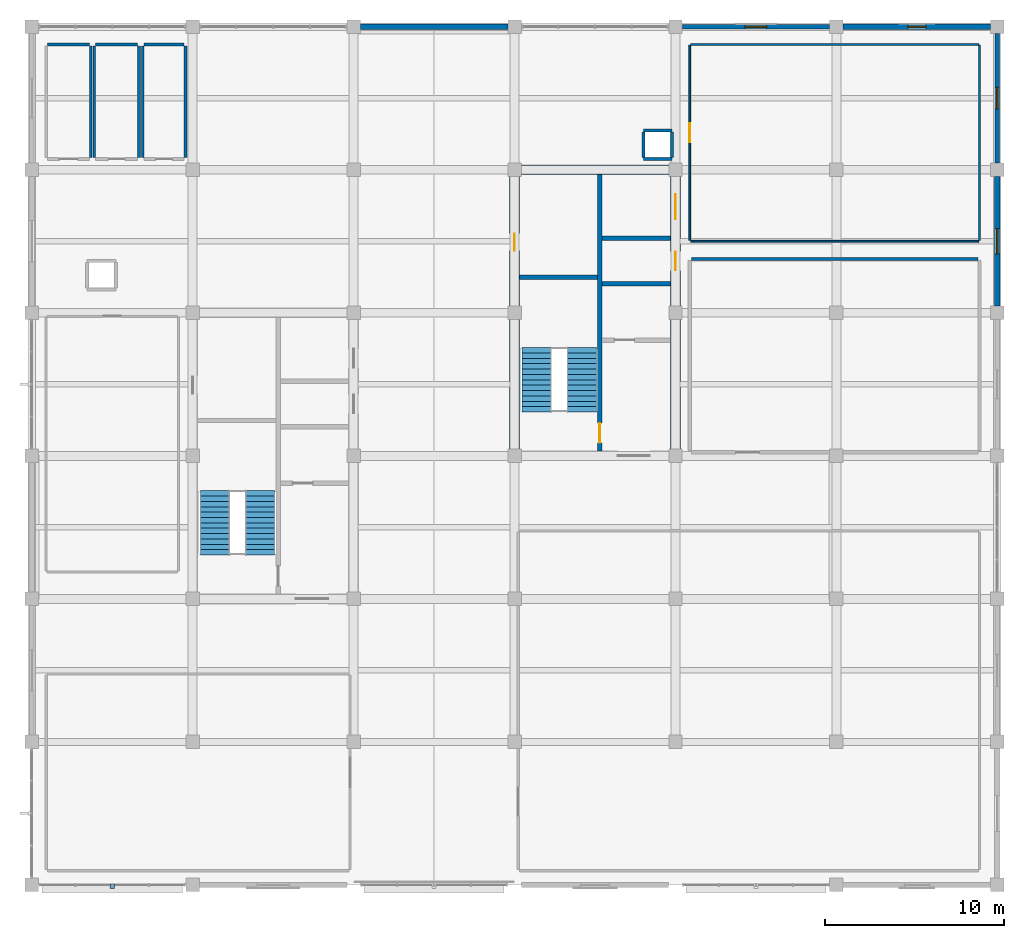
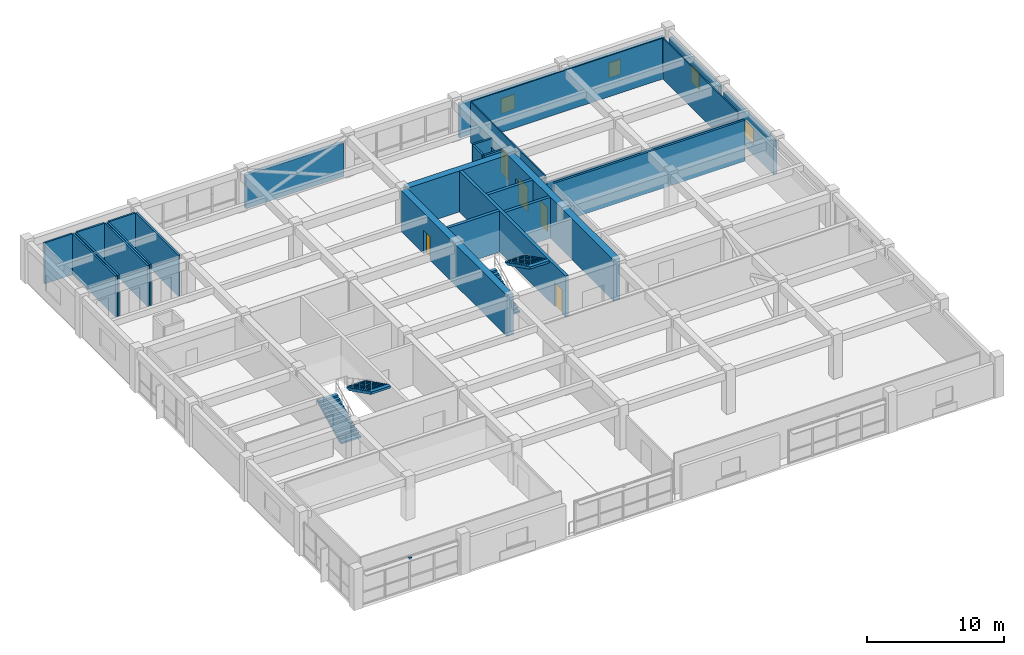
# One storey, part 13 of 15: 29 walls, 5 doors, 4 stair flights, 4 windows, 1 discrete accessory, 9 openings, 2 elements without a shape of their own.
"""IFC4 building model written with IfcOpenShell, lengths in metres."""

from ifc_helpers import new_model, si_unit, direction, frame, frame_2d, origin, origin_2d, place, context, subcontext, project, spatial, polyline, rectangle, outline, extrude, material, layer, layer_set, type_object, element, fill, aggregate, save


model = new_model("IFC4")

# Units and contexts
model_context = context("Model", 3, precision=1e-05, world=origin(), true_north=direction((0.0, 1.0)))
body_context = subcontext(model_context, "Body", "Model", "MODEL_VIEW")
ifc_project = project(units=[si_unit("LENGTHUNIT", "METRE"), si_unit("AREAUNIT", "SQUARE_METRE"), si_unit("VOLUMEUNIT", "CUBIC_METRE"), si_unit("PLANEANGLEUNIT", "RADIAN"), si_unit("MASSUNIT", "GRAM", prefix="KILO")], contexts=[model_context])

# Site, building, storey
site_placement = place(None, origin())
site = spatial("IfcSite", under=ifc_project, at=site_placement, CompositionType="ELEMENT")
building_placement = place(site_placement, origin())
building = spatial("IfcBuilding", under=site, at=building_placement, Name="Zaverband Oceanarium and Marine Research Institute", CompositionType="ELEMENT")
storey_placement = place(building_placement, frame((0.0, 0.0, 53.10009765625)))
storey = spatial("IfcBuildingStorey", under=building, at=storey_placement, Name="L13", CompositionType="ELEMENT", Elevation=53.10009765625)

# Wall
ifc_material_1 = material(Name="Concrete C50/60", Category="concrete")
ifc_layer_1 = layer(ifc_material_1, 0.550048828125, Name="Concrete C50/60")
ifc_layer_set_1 = layer_set([ifc_layer_1], Name="Concrete C50/60")
wall_type_1 = type_object("IfcWallType", Name="CW-01", PredefinedType="SHEAR", material=ifc_layer_set_1)
wall_1_placement = place(storey_placement, frame((36.27490234375, 104.0, 0.0), z_axis=(0.0, 0.0, 1.0), x_axis=(1.0, 0.0, 0.0)))
element("IfcWall", 1, at=wall_1_placement, inside=storey, type_object=wall_type_1, Name="Structural shear wall CW-01", PredefinedType="SHEAR", context=body_context, shape_type="SweptSolid", body=[
    extrude(rectangle(XDim=8.4501953125, YDim=0.550048828125, at=frame_2d((4.22509765625, 0.0))), origin(), (0.0, 0.0, 1.0), 3.64990234375),
])

# Wall, opening, door
wall_2_placement = place(storey_placement, frame((36.0, 88.27490234375, 0.0), z_axis=(0.0, 0.0, 1.0), x_axis=(0.0, 1.0, 0.0)))
wall_2 = element("IfcWall", 2, at=wall_2_placement, inside=storey, type_object=wall_type_1, Name="Structural shear wall CW-01", PredefinedType="SHEAR", context=body_context, shape_type="SweptSolid", body=[
    extrude(rectangle(XDim=15.4501953125, YDim=0.550048828125, at=frame_2d((7.72509765625, 0.0))), origin(), (0.0, 0.0, 1.0), 3.64990234375),
])
opening_1_placement = place(wall_2_placement, frame((11.199951171875, 0.0, 0.0)))
opening_1 = element("IfcOpeningElement", 3, at=opening_1_placement, cuts=wall_2, Name="Opening FD-03", PredefinedType="OPENING", context=body_context, shape_type="SweptSolid", body=[
    extrude(rectangle(XDim=0.949951171875, YDim=2.10009765625, at=frame_2d((0.47509765625, 1.050048828125))), frame((0.0, 0.287109375, 0.0), z_axis=(0.0, -1.0, 0.0), x_axis=(1.0, 0.0, 0.0)), (0.0, 0.0, 1.0), 0.573974609375),
])
ifc_material_2 = material(Name="Steel S355", Category="steel")
door_type_1 = type_object("IfcDoorType", Name="FD-03", OperationType="NOTDEFINED", PredefinedType="DOOR", material=ifc_material_2)
door_1_placement = place(opening_1_placement, origin())
door_1 = element("IfcDoor", 4, at=door_1_placement, inside=storey, type_object=door_type_1, Name="Service riser access fire door FD-03", OperationType="SINGLE_SWING_RIGHT", OverallHeight=2.10009765625, OverallWidth=0.949951171875, PredefinedType="DOOR", context=body_context, shape_type="SweptSolid", body=[
    extrude(rectangle(XDim=0.949951171875, YDim=2.10009765625, at=frame_2d((0.47509765625, 1.050048828125))), frame((0.0, 0.02490234375, 0.0), z_axis=(0.0, -1.0, 0.0), x_axis=(1.0, 0.0, 0.0)), (0.0, 0.0, 1.0), 0.050048828125),
])
fill(opening_1, door_1)

# Wall, openings, doors
wall_3_placement = place(storey_placement, frame((45.0, 88.27490234375, 0.0), z_axis=(0.0, 0.0, 1.0), x_axis=(0.0, 1.0, 0.0)))
wall_3 = element("IfcWall", 5, at=wall_3_placement, inside=storey, type_object=wall_type_1, Name="Structural shear wall CW-01", PredefinedType="SHEAR", context=body_context, shape_type="SweptSolid", body=[
    extrude(rectangle(XDim=15.4501953125, YDim=0.550048828125, at=frame_2d((7.72509765625, 0.0))), origin(), (0.0, 0.0, 1.0), 3.64990234375),
])
opening_2_placement = place(wall_3_placement, frame((10.10009765625, 0.0, 0.0)))
opening_2 = element("IfcOpeningElement", 6, at=opening_2_placement, cuts=wall_3, Name="Opening LD-02", PredefinedType="OPENING", context=body_context, shape_type="SweptSolid", body=[
    extrude(rectangle(XDim=1.050048828125, YDim=2.1201171875, at=frame_2d((0.52490234375, 1.06005859375))), frame((0.0, 0.287109375, 0.0), z_axis=(0.0, -1.0, 0.0), x_axis=(1.0, 0.0, 0.0)), (0.0, 0.0, 1.0), 0.573974609375),
])
opening_3_placement = place(wall_3_placement, frame((12.949951171875, 0.0, 0.0)))
opening_3 = element("IfcOpeningElement", 7, at=opening_3_placement, cuts=wall_3, Name="Opening LD-03", PredefinedType="OPENING", context=body_context, shape_type="SweptSolid", body=[
    extrude(rectangle(XDim=1.39990234375, YDim=2.199951171875, at=frame_2d((0.699951171875, 1.10009765625))), frame((0.0, 0.287109375, 0.0), z_axis=(0.0, -1.0, 0.0), x_axis=(1.0, 0.0, 0.0)), (0.0, 0.0, 1.0), 0.573974609375),
])
door_type_2 = type_object("IfcDoorType", Name="LD-02", OperationType="DOUBLE_DOOR_SLIDING", PredefinedType="DOOR", material=ifc_material_2)
door_2_placement = place(opening_2_placement, origin())
door_2 = element("IfcDoor", 8, at=door_2_placement, inside=storey, type_object=door_type_2, Name="Passenger lift sliding landing door LD-02", OperationType="DOUBLE_DOOR_SLIDING", OverallHeight=2.1201171875, OverallWidth=1.050048828125, PredefinedType="DOOR", context=body_context, shape_type="SweptSolid", body=[
    extrude(rectangle(XDim=1.050048828125, YDim=2.1201171875, at=frame_2d((0.52490234375, 1.06005859375))), frame((0.0, 0.02490234375, 0.0), z_axis=(0.0, -1.0, 0.0), x_axis=(1.0, 0.0, 0.0)), (0.0, 0.0, 1.0), 0.050048828125),
])
fill(opening_2, door_2)
door_type_3 = type_object("IfcDoorType", Name="LD-03", OperationType="DOUBLE_DOOR_SLIDING", PredefinedType="DOOR", material=ifc_material_2)
door_3_placement = place(opening_3_placement, origin())
door_3 = element("IfcDoor", 9, at=door_3_placement, inside=storey, type_object=door_type_3, Name="Specimen goods lift sliding landing door LD-03", OperationType="DOUBLE_DOOR_SLIDING", OverallHeight=2.199951171875, OverallWidth=1.39990234375, PredefinedType="DOOR", context=body_context, shape_type="SweptSolid", body=[
    extrude(rectangle(XDim=1.39990234375, YDim=2.199951171875, at=frame_2d((0.699951171875, 1.10009765625))), frame((0.0, 0.02490234375, 0.0), z_axis=(0.0, -1.0, 0.0), x_axis=(1.0, 0.0, 0.0)), (0.0, 0.0, 1.0), 0.050048828125),
])
fill(opening_3, door_3)

# Wall, opening, window
ifc_material_3 = material(Name="Concrete C40/50 precast", Category="concrete")
ifc_layer_2 = layer(ifc_material_3, 0.264892578125, Name="Concrete C40/50 precast")
ifc_layer_set_2 = layer_set([ifc_layer_2], Name="Concrete C40/50 precast")
wall_type_2 = type_object("IfcWallType", Name="EW-265", PredefinedType="STANDARD", material=ifc_layer_set_2)
wall_4_placement = place(storey_placement, frame((45.3798828125, 112.0, 0.0), z_axis=(0.0, 0.0, 1.0), x_axis=(1.0, 0.0, 0.0)))
wall_4 = element("IfcWall", 10, at=wall_4_placement, inside=storey, type_object=wall_type_2, Name="Exterior infill wall EW-265", PredefinedType="STANDARD", context=body_context, shape_type="SweptSolid", body=[
    extrude(rectangle(XDim=8.240234375, YDim=0.264892578125, at=frame_2d((4.1201171875, 0.0))), origin(), (0.0, 0.0, 1.0), 2.97998046875),
])
opening_4_placement = place(wall_4_placement, frame((3.52001953125, 0.0, 0.85009765625)))
opening_4 = element("IfcOpeningElement", 11, at=opening_4_placement, cuts=wall_4, Name="Opening WN-1200x1350", PredefinedType="OPENING", context=body_context, shape_type="SweptSolid", body=[
    extrude(rectangle(XDim=1.199951171875, YDim=1.35009765625, at=frame_2d((0.60009765625, 0.675048828125))), frame((0.0, 0.14453125, 0.0), z_axis=(0.0, -1.0, 0.0), x_axis=(1.0, 0.0, 0.0)), (0.0, 0.0, 1.0), 0.288818359375),
])
ifc_material_4 = material(Name="Thermally broken anodized aluminium and solar-control glass", Category="aluminium")
window_type_1 = type_object("IfcWindowType", Name="WN-1200x1350", PartitioningType="SINGLE_PANEL", PredefinedType="WINDOW", material=ifc_material_4)
window_1_placement = place(opening_4_placement, origin())
window_1 = element("IfcWindow", 12, at=window_1_placement, inside=storey, type_object=window_type_1, Name="Fixed / casement exterior window WN-1200x1350", OverallHeight=1.35009765625, OverallWidth=1.199951171875, PartitioningType="SINGLE_PANEL", PredefinedType="WINDOW", context=body_context, shape_type="SweptSolid", body=[
    extrude(rectangle(XDim=1.199951171875, YDim=1.35009765625, at=frame_2d((0.60009765625, 0.675048828125))), frame((0.0, 0.030029296875, 0.0), z_axis=(0.0, -1.0, 0.0), x_axis=(1.0, 0.0, 0.0)), (0.0, 0.0, 1.0), 0.06005859375),
])
fill(opening_4, window_1)

wall_5_placement = place(storey_placement, frame((63.0, 104.3798828125, 0.0), z_axis=(0.0, 0.0, 1.0), x_axis=(0.0, 1.0, 0.0)))
wall_5 = element("IfcWall", 13, at=wall_5_placement, inside=storey, type_object=wall_type_2, Name="Exterior infill wall EW-265", PredefinedType="STANDARD", context=body_context, shape_type="SweptSolid", body=[
    extrude(rectangle(XDim=7.240234375, YDim=0.264892578125, at=frame_2d((3.6201171875, 0.0))), origin(), (0.0, 0.0, 1.0), 2.97998046875),
])
opening_5_placement = place(wall_5_placement, frame((3.02001953125, 0.0, 0.85009765625)))
opening_5 = element("IfcOpeningElement", 14, at=opening_5_placement, cuts=wall_5, Name="Opening WN-1200x1500", PredefinedType="OPENING", context=body_context, shape_type="SweptSolid", body=[
    extrude(rectangle(XDim=1.199951171875, YDim=1.5, at=frame_2d((0.60009765625, 0.75))), frame((0.0, 0.14453125, 0.0), z_axis=(0.0, -1.0, 0.0), x_axis=(1.0, 0.0, 0.0)), (0.0, 0.0, 1.0), 0.288818359375),
])
window_type_2 = type_object("IfcWindowType", Name="WN-1200x1500", PartitioningType="SINGLE_PANEL", PredefinedType="WINDOW", material=ifc_material_4)
window_2_placement = place(opening_5_placement, origin())
window_2 = element("IfcWindow", 15, at=window_2_placement, inside=storey, type_object=window_type_2, Name="Fixed / casement exterior window WN-1200x1500", OverallHeight=1.5, OverallWidth=1.199951171875, PartitioningType="SINGLE_PANEL", PredefinedType="WINDOW", context=body_context, shape_type="SweptSolid", body=[
    extrude(rectangle(XDim=1.199951171875, YDim=1.5, at=frame_2d((0.60009765625, 0.75))), frame((0.0, 0.030029296875, 0.0), z_axis=(0.0, -1.0, 0.0), x_axis=(1.0, 0.0, 0.0)), (0.0, 0.0, 1.0), 0.06005859375),
])
fill(opening_5, window_2)

# Wall
ifc_layer_3 = layer(ifc_material_3, 0.2900390625, Name="Concrete C40/50 precast")
ifc_layer_set_3 = layer_set([ifc_layer_3], Name="Concrete C40/50 precast")
wall_type_3 = type_object("IfcWallType", Name="EW-290", PredefinedType="STANDARD", material=ifc_layer_set_3)
wall_6_placement = place(storey_placement, frame((27.3798828125, 112.0, 0.0), z_axis=(0.0, 0.0, 1.0), x_axis=(1.0, 0.0, 0.0)))
element("IfcWall", 16, at=wall_6_placement, inside=storey, type_object=wall_type_3, Name="Exterior infill wall EW-290", PredefinedType="STANDARD", context=body_context, shape_type="SweptSolid", body=[
    extrude(rectangle(XDim=8.240234375, YDim=0.2900390625, at=frame_2d((4.1201171875, 0.0))), origin(), (0.0, 0.0, 1.0), 2.97998046875),
])

# Wall, opening, window
wall_7_placement = place(storey_placement, frame((54.3798828125, 112.0, 0.0), z_axis=(0.0, 0.0, 1.0), x_axis=(1.0, 0.0, 0.0)))
wall_7 = element("IfcWall", 17, at=wall_7_placement, inside=storey, type_object=wall_type_3, Name="Exterior infill wall EW-290", PredefinedType="STANDARD", context=body_context, shape_type="SweptSolid", body=[
    extrude(rectangle(XDim=8.240234375, YDim=0.2900390625, at=frame_2d((4.1201171875, 0.0))), origin(), (0.0, 0.0, 1.0), 2.97998046875),
])
opening_6_placement = place(wall_7_placement, frame((3.6201171875, 0.0, 0.85009765625)))
opening_6 = element("IfcOpeningElement", 18, at=opening_6_placement, cuts=wall_7, Name="Opening WN-1000x1350", PredefinedType="OPENING", context=body_context, shape_type="SweptSolid", body=[
    extrude(rectangle(XDim=1.0, YDim=1.35009765625, at=frame_2d((0.5, 0.675048828125))), frame((0.0, 0.156982421875, 0.0), z_axis=(0.0, -1.0, 0.0), x_axis=(1.0, 0.0, 0.0)), (0.0, 0.0, 1.0), 0.31396484375),
])
window_type_3 = type_object("IfcWindowType", Name="WN-1000x1350", PartitioningType="SINGLE_PANEL", PredefinedType="WINDOW", material=ifc_material_4)
window_3_placement = place(opening_6_placement, origin())
window_3 = element("IfcWindow", 19, at=window_3_placement, inside=storey, type_object=window_type_3, Name="Fixed / casement exterior window WN-1000x1350", OverallHeight=1.35009765625, OverallWidth=1.0, PartitioningType="SINGLE_PANEL", PredefinedType="WINDOW", context=body_context, shape_type="SweptSolid", body=[
    extrude(rectangle(XDim=1.0, YDim=1.35009765625, at=frame_2d((0.5, 0.675048828125))), frame((0.0, 0.030029296875, 0.0), z_axis=(0.0, -1.0, 0.0), x_axis=(1.0, 0.0, 0.0)), (0.0, 0.0, 1.0), 0.06005859375),
])
fill(opening_6, window_3)

wall_8_placement = place(storey_placement, frame((63.0, 96.3798828125, 0.0), z_axis=(0.0, 0.0, 1.0), x_axis=(0.0, 1.0, 0.0)))
wall_8 = element("IfcWall", 20, at=wall_8_placement, inside=storey, type_object=wall_type_3, Name="Exterior infill wall EW-290", PredefinedType="STANDARD", context=body_context, shape_type="SweptSolid", body=[
    extrude(rectangle(XDim=7.240234375, YDim=0.2900390625, at=frame_2d((3.6201171875, 0.0))), origin(), (0.0, 0.0, 1.0), 2.97998046875),
])
opening_7_placement = place(wall_8_placement, frame((2.919921875, 0.0, 0.85009765625)))
opening_7 = element("IfcOpeningElement", 21, at=opening_7_placement, cuts=wall_8, Name="Opening WN-1400x1500", PredefinedType="OPENING", context=body_context, shape_type="SweptSolid", body=[
    extrude(rectangle(XDim=1.39990234375, YDim=1.5, at=frame_2d((0.699951171875, 0.75))), frame((0.0, 0.156982421875, 0.0), z_axis=(0.0, -1.0, 0.0), x_axis=(1.0, 0.0, 0.0)), (0.0, 0.0, 1.0), 0.31396484375),
])
window_type_4 = type_object("IfcWindowType", Name="WN-1400x1500", PartitioningType="SINGLE_PANEL", PredefinedType="WINDOW", material=ifc_material_4)
window_4_placement = place(opening_7_placement, origin())
window_4 = element("IfcWindow", 22, at=window_4_placement, inside=storey, type_object=window_type_4, Name="Fixed / casement exterior window WN-1400x1500", OverallHeight=1.5, OverallWidth=1.39990234375, PartitioningType="SINGLE_PANEL", PredefinedType="WINDOW", context=body_context, shape_type="SweptSolid", body=[
    extrude(rectangle(XDim=1.39990234375, YDim=1.5, at=frame_2d((0.699951171875, 0.75))), frame((0.0, 0.030029296875, 0.0), z_axis=(0.0, -1.0, 0.0), x_axis=(1.0, 0.0, 0.0)), (0.0, 0.0, 1.0), 0.06005859375),
])
fill(opening_7, window_4)

# Walls
ifc_material_5 = material(Name="Framed fire-rated glass laboratory partition", Category="glass")
ifc_layer_4 = layer(ifc_material_5, 0.10009765625, Name="Framed fire-rated glass laboratory partition")
ifc_layer_set_4 = layer_set([ifc_layer_4], Name="Framed fire-rated glass laboratory partition")
wall_type_4 = type_object("IfcWallType", Name="PT-100-GL", PredefinedType="PARTITIONING", material=ifc_layer_set_4)
wall_9_placement = place(storey_placement, frame((45.85009765625, 100.0, 0.0), z_axis=(0.0, 0.0, 1.0), x_axis=(1.0, 0.0, 0.0)))
element("IfcWall", 23, at=wall_9_placement, inside=storey, type_object=wall_type_4, Name="Internal partition PT-100-GL", PredefinedType="PARTITIONING", context=body_context, shape_type="SweptSolid", body=[
    extrude(rectangle(XDim=16.099853515625, YDim=0.10009765625, at=frame_2d((8.0498046875, 0.0))), origin(), (0.0, 0.0, 1.0), 3.099853515625),
])
wall_10_placement = place(storey_placement, frame((45.85009765625, 111.0, 0.0), z_axis=(0.0, 0.0, 1.0), x_axis=(1.0, 0.0, 0.0)))
element("IfcWall", 24, at=wall_10_placement, inside=storey, type_object=wall_type_4, Name="Internal partition PT-100-GL", PredefinedType="PARTITIONING", context=body_context, shape_type="SweptSolid", body=[
    extrude(rectangle(XDim=16.099853515625, YDim=0.10009765625, at=frame_2d((8.0498046875, 0.0))), origin(), (0.0, 0.0, 1.0), 3.64990234375),
])

# Wall, opening, door
wall_11_placement = place(storey_placement, frame((45.800048828125, 100.050048828125, 0.0), z_axis=(0.0, 0.0, 1.0), x_axis=(0.0, 1.0, 0.0)))
wall_11 = element("IfcWall", 25, at=wall_11_placement, inside=storey, type_object=wall_type_4, Name="Internal partition PT-100-GL", PredefinedType="PARTITIONING", context=body_context, shape_type="SweptSolid", body=[
    extrude(rectangle(XDim=10.89990234375, YDim=0.10009765625, at=frame_2d((5.449951171875, 0.0))), origin(), (0.0, 0.0, 1.0), 3.64990234375),
])
opening_8_placement = place(wall_11_placement, frame((5.5, 0.0, 0.0)))
opening_8 = element("IfcOpeningElement", 26, at=opening_8_placement, cuts=wall_11, Name="Opening ID-1050x2100", PredefinedType="OPENING", context=body_context, shape_type="SweptSolid", body=[
    extrude(rectangle(XDim=1.050048828125, YDim=2.10009765625, at=frame_2d((0.52490234375, 1.050048828125))), frame((0.0, 0.06201171875, 0.0), z_axis=(0.0, -1.0, 0.0), x_axis=(1.0, 0.0, 0.0)), (0.0, 0.0, 1.0), 0.1240234375),
])
ifc_material_6 = material(Name="Hardwood-veneered acoustic timber", Category="wood")
door_type_4 = type_object("IfcDoorType", Name="ID-1050x2100", OperationType="NOTDEFINED", PredefinedType="DOOR", material=ifc_material_6)
door_4_placement = place(opening_8_placement, origin())
door_4 = element("IfcDoor", 27, at=door_4_placement, inside=storey, type_object=door_type_4, Name="Dry laboratory door ID-1050x2100", OperationType="SINGLE_SWING_RIGHT", OverallHeight=2.10009765625, OverallWidth=1.050048828125, PredefinedType="DOOR", context=body_context, shape_type="SweptSolid", body=[
    extrude(rectangle(XDim=1.050048828125, YDim=2.10009765625, at=frame_2d((0.52490234375, 1.050048828125))), frame((0.0, 0.02490234375, 0.0), z_axis=(0.0, -1.0, 0.0), x_axis=(1.0, 0.0, 0.0)), (0.0, 0.0, 1.0), 0.050048828125),
])
fill(opening_8, door_4)

# Walls
wall_12_placement = place(storey_placement, frame((62.0, 100.050048828125, 0.0), z_axis=(0.0, 0.0, 1.0), x_axis=(0.0, 1.0, 0.0)))
element("IfcWall", 28, at=wall_12_placement, inside=storey, type_object=wall_type_4, Name="Internal partition PT-100-GL", PredefinedType="PARTITIONING", context=body_context, shape_type="SweptSolid", body=[
    extrude(rectangle(XDim=10.89990234375, YDim=0.10009765625, at=frame_2d((5.449951171875, 0.0))), origin(), (0.0, 0.0, 1.0), 3.64990234375),
])
ifc_material_7 = material(Name="Ceramic-tiled wet-room blockwork", Category="masonry")
ifc_layer_5 = layer(ifc_material_7, 0.14990234375, Name="Ceramic-tiled wet-room blockwork")
ifc_layer_set_5 = layer_set([ifc_layer_5], Name="Ceramic-tiled wet-room blockwork")
wall_type_5 = type_object("IfcWallType", Name="PT-150-WC", PredefinedType="PARTITIONING", material=ifc_layer_set_5)
wall_13_placement = place(storey_placement, frame((9.875, 111.0, 0.0), z_axis=(0.0, 0.0, 1.0), x_axis=(1.0, 0.0, 0.0)))
element("IfcWall", 29, at=wall_13_placement, inside=storey, type_object=wall_type_5, Name="Internal partition PT-150-WC", PredefinedType="PARTITIONING", context=body_context, shape_type="SweptSolid", body=[
    extrude(rectangle(XDim=2.35009765625, YDim=0.14990234375, at=frame_2d((1.175048828125, 0.0))), origin(), (0.0, 0.0, 1.0), 3.64990234375),
])
wall_14_placement = place(storey_placement, frame((12.300048828125, 104.675048828125, 0.0), z_axis=(0.0, 0.0, 1.0), x_axis=(0.0, 1.0, 0.0)))
element("IfcWall", 30, at=wall_14_placement, inside=storey, type_object=wall_type_5, Name="Internal partition PT-150-WC", PredefinedType="PARTITIONING", context=body_context, shape_type="SweptSolid", body=[
    extrude(rectangle(XDim=6.25, YDim=0.14990234375, at=frame_2d((3.125, 0.0))), origin(), (0.0, 0.0, 1.0), 3.64990234375),
])
wall_15_placement = place(storey_placement, frame((12.574951171875, 111.0, 0.0), z_axis=(0.0, 0.0, 1.0), x_axis=(1.0, 0.0, 0.0)))
element("IfcWall", 31, at=wall_15_placement, inside=storey, type_object=wall_type_5, Name="Internal partition PT-150-WC", PredefinedType="PARTITIONING", context=body_context, shape_type="SweptSolid", body=[
    extrude(rectangle(XDim=2.35009765625, YDim=0.14990234375, at=frame_2d((1.175048828125, 0.0))), origin(), (0.0, 0.0, 1.0), 3.64990234375),
])
for number, where, z_axis, x_axis, name in (
    (32, (12.5, 104.675048828125, 0.0), (0.0, 0.0, 1.0), (0.0, 1.0, 0.0), "Internal partition PT-150-WC"),
    (33, (15.0, 104.675048828125, 0.0), (0.0, 0.0, 1.0), (0.0, 1.0, 0.0), "Internal partition PT-150-WC"),
):
    element("IfcWall", number, at=place(storey_placement, frame(where, z_axis=z_axis, x_axis=x_axis)), inside=storey, type_object=wall_type_5, Name=name, PredefinedType="PARTITIONING", context=body_context, shape_type="SweptSolid", body=[
        extrude(rectangle(XDim=6.25, YDim=0.14990234375, at=frame_2d((3.125, 0.0))), origin(), (0.0, 0.0, 1.0), 3.64990234375),
    ])
wall_16_placement = place(storey_placement, frame((15.27490234375, 111.0, 0.0), z_axis=(0.0, 0.0, 1.0), x_axis=(1.0, 0.0, 0.0)))
element("IfcWall", 34, at=wall_16_placement, inside=storey, type_object=wall_type_5, Name="Internal partition PT-150-WC", PredefinedType="PARTITIONING", context=body_context, shape_type="SweptSolid", body=[
    extrude(rectangle(XDim=2.25, YDim=0.14990234375, at=frame_2d((1.125, 0.0))), origin(), (0.0, 0.0, 1.0), 3.64990234375),
])
for number, where, z_axis, x_axis, name in (
    (35, (15.199951171875, 104.675048828125, 0.0), (0.0, 0.0, 1.0), (0.0, 1.0, 0.0), "Internal partition PT-150-WC"),
    (36, (17.60009765625, 104.675048828125, 0.0), (0.0, 0.0, 1.0), (0.0, 1.0, 0.0), "Internal partition PT-150-WC"),
):
    element("IfcWall", number, at=place(storey_placement, frame(where, z_axis=z_axis, x_axis=x_axis)), inside=storey, type_object=wall_type_5, Name=name, PredefinedType="PARTITIONING", context=body_context, shape_type="SweptSolid", body=[
        extrude(rectangle(XDim=6.25, YDim=0.14990234375, at=frame_2d((3.125, 0.0))), origin(), (0.0, 0.0, 1.0), 3.64990234375),
    ])
ifc_material_8 = material(Name="Corridor rated drywall partition")
ifc_layer_6 = layer(ifc_material_8, 0.1650390625, Name="Corridor rated drywall partition")
ifc_layer_set_6 = layer_set([ifc_layer_6], Name="Corridor rated drywall partition")
wall_type_6 = type_object("IfcWallType", Name="PT-165-CR", PredefinedType="PARTITIONING", material=ifc_layer_set_6)
for number, where, z_axis, x_axis, name in (
    (37, (43.199951171875, 104.60009765625, 0.0), (0.0, 0.0, 1.0), (1.0, 0.0, 0.0), "Internal partition PT-165-CR"),
    (38, (43.199951171875, 106.199951171875, 0.0), (0.0, 0.0, 1.0), (1.0, 0.0, 0.0), "Internal partition PT-165-CR"),
):
    element("IfcWall", number, at=place(storey_placement, frame(where, z_axis=z_axis, x_axis=x_axis)), inside=storey, type_object=wall_type_6, Name=name, PredefinedType="PARTITIONING", context=body_context, shape_type="SweptSolid", body=[
        extrude(rectangle(XDim=1.60009765625, YDim=0.1650390625, at=frame_2d((0.800048828125, 0.0))), origin(), (0.0, 0.0, 1.0), 3.64990234375),
    ])
wall_17_placement = place(storey_placement, frame((43.199951171875, 104.679931640625, 0.0), z_axis=(0.0, 0.0, 1.0), x_axis=(0.0, 1.0, 0.0)))
element("IfcWall", 39, at=wall_17_placement, inside=storey, type_object=wall_type_6, Name="Internal partition PT-165-CR", PredefinedType="PARTITIONING", context=body_context, shape_type="SweptSolid", body=[
    extrude(rectangle(XDim=1.440185546875, YDim=0.1650390625, at=frame_2d((0.72021484375, 0.0))), origin(), (0.0, 0.0, 1.0), 3.64990234375),
])
wall_18_placement = place(storey_placement, frame((44.800048828125, 104.679931640625, 0.0), z_axis=(0.0, 0.0, 1.0), x_axis=(0.0, 1.0, 0.0)))
element("IfcWall", 40, at=wall_18_placement, inside=storey, type_object=wall_type_6, Name="Internal partition PT-165-CR", PredefinedType="PARTITIONING", context=body_context, shape_type="SweptSolid", body=[
    extrude(rectangle(XDim=1.440185546875, YDim=0.1650390625, at=frame_2d((0.72021484375, 0.0))), origin(), (0.0, 0.0, 1.0), 2.89990234375),
])
ifc_material_9 = material(Name="Moisture-resistant laboratory blockwork", Category="masonry")
ifc_layer_7 = layer(ifc_material_9, 0.179931640625, Name="Moisture-resistant laboratory blockwork")
ifc_layer_set_7 = layer_set([ifc_layer_7], Name="Moisture-resistant laboratory blockwork")
wall_type_7 = type_object("IfcWallType", Name="PT-180-LB", PredefinedType="PARTITIONING", material=ifc_layer_set_7)
wall_19_placement = place(storey_placement, frame((45.889892578125, 99.0, 0.0), z_axis=(0.0, 0.0, 1.0), x_axis=(1.0, 0.0, 0.0)))
element("IfcWall", 41, at=wall_19_placement, inside=storey, type_object=wall_type_7, Name="Internal partition PT-180-LB", PredefinedType="PARTITIONING", context=body_context, shape_type="SweptSolid", body=[
    extrude(rectangle(XDim=16.02001953125, YDim=0.179931640625, at=frame_2d((8.010009765625, 0.0))), origin(), (0.0, 0.0, 1.0), 3.64990234375),
])

# Wall, opening, door
ifc_layer_8 = layer(ifc_material_1, 0.25, Name="Concrete C50/60")
ifc_layer_set_8 = layer_set([ifc_layer_8], Name="Concrete C50/60")
wall_type_8 = type_object("IfcWallType", Name="PW-CORE-250", PredefinedType="SOLIDWALL", material=ifc_layer_set_8)
wall_20_placement = place(storey_placement, frame((40.77490234375, 88.27490234375, 0.0), z_axis=(0.0, 0.0, 1.0), x_axis=(0.0, 1.0, 0.0)))
wall_20 = element("IfcWall", 42, at=wall_20_placement, inside=storey, type_object=wall_type_8, Name="Structural concrete wall PW-CORE-250", PredefinedType="SOLIDWALL", context=body_context, shape_type="SweptSolid", body=[
    extrude(rectangle(XDim=15.4501953125, YDim=0.25, at=frame_2d((7.72509765625, 0.0))), origin(), (0.0, 0.0, 1.0), 3.64990234375),
])
opening_9_placement = place(wall_20_placement, frame((0.449951171875, 0.0, 0.0)))
opening_9 = element("IfcOpeningElement", 43, at=opening_9_placement, cuts=wall_20, Name="Opening FD-01", PredefinedType="OPENING", context=body_context, shape_type="SweptSolid", body=[
    extrude(rectangle(XDim=1.10009765625, YDim=2.14990234375, at=frame_2d((0.550048828125, 1.074951171875))), frame((0.0, 0.136962890625, 0.0), z_axis=(0.0, -1.0, 0.0), x_axis=(1.0, 0.0, 0.0)), (0.0, 0.0, 1.0), 0.27392578125),
])
door_type_5 = type_object("IfcDoorType", Name="FD-01", OperationType="NOTDEFINED", PredefinedType="DOOR", material=ifc_material_2)
door_5_placement = place(opening_9_placement, origin())
door_5 = element("IfcDoor", 44, at=door_5_placement, inside=storey, type_object=door_type_5, Name="Core stair / lobby fire door FD-01", OperationType="SINGLE_SWING_RIGHT", OverallHeight=2.14990234375, OverallWidth=1.10009765625, PredefinedType="DOOR", context=body_context, shape_type="SweptSolid", body=[
    extrude(rectangle(XDim=1.10009765625, YDim=2.14990234375, at=frame_2d((0.550048828125, 1.074951171875))), frame((0.0, 0.02490234375, 0.0), z_axis=(0.0, -1.0, 0.0), x_axis=(1.0, 0.0, 0.0)), (0.0, 0.0, 1.0), 0.050048828125),
])
fill(opening_9, door_5)

# Walls
wall_21_placement = place(storey_placement, frame((36.27490234375, 97.97509765625, 0.0), z_axis=(0.0, 0.0, 1.0), x_axis=(1.0, 0.0, 0.0)))
element("IfcWall", 45, at=wall_21_placement, inside=storey, type_object=wall_type_8, Name="Structural concrete wall PW-CORE-250", PredefinedType="SOLIDWALL", context=body_context, shape_type="SweptSolid", body=[
    extrude(rectangle(XDim=4.3701171875, YDim=0.25, at=frame_2d((2.18505859375, 0.0))), origin(), (0.0, 0.0, 1.0), 3.64990234375),
])
for number, where, z_axis, x_axis, name in (
    (46, (40.905029296875, 97.6298828125, 0.0), (0.0, 0.0, 1.0), (1.0, 0.0, 0.0), "Structural concrete wall PW-CORE-250"),
    (47, (40.905029296875, 100.179931640625, 0.0), (0.0, 0.0, 1.0), (1.0, 0.0, 0.0), "Structural concrete wall PW-CORE-250"),
):
    element("IfcWall", number, at=place(storey_placement, frame(where, z_axis=z_axis, x_axis=x_axis)), inside=storey, type_object=wall_type_8, Name=name, PredefinedType="SOLIDWALL", context=body_context, shape_type="SweptSolid", body=[
        extrude(rectangle(XDim=3.820068359375, YDim=0.25, at=frame_2d((1.91015625, 0.0))), origin(), (0.0, 0.0, 1.0), 3.64990234375),
    ])

# Stair, stair flights
ifc_material_10 = material(Name="Concrete C40/50", Category="concrete")
stair_type = type_object("IfcStairType", Name="STR-TWR-1650-3900", PredefinedType="HALF_TURN_STAIR", material=ifc_material_10)
stair_1_placement = place(storey_placement, origin())
stair_1 = element("IfcStair", 48, at=stair_1_placement, inside=storey, type_object=stair_type, Name="Exit Stair ST-01 (L13)", PredefinedType="HALF_TURN_STAIR")
stair_flight_type = type_object("IfcStairFlightType", Name="STR-TWR-1650-3900-FL", PredefinedType="STRAIGHT", material=ifc_material_10)
stair_flight_1_placement = place(storey_placement, frame((19.2548828125, 82.449951171875, 0.0), z_axis=(0.0, 0.0, 1.0), x_axis=(0.0, 1.0, 0.0)))
stair_flight_1 = element("IfcStairFlight", 49, at=stair_flight_1_placement, type_object=stair_flight_type, Name="Reinforced concrete stair flight ST-01-F1", NumberOfRisers=13, NumberOfTreads=12, PredefinedType="STRAIGHT", RiserHeight=0.15, TreadLength=0.3, context=body_context, shape_type="SweptSolid", body=[
    extrude(outline(polyline([(0.0, 0.0), (0.0, 0.14990234375), (0.300048828125, 0.14990234375), (0.300048828125, 0.300048828125), (0.60009765625, 0.300048828125), (0.60009765625, 0.449951171875), (0.89990234375, 0.449951171875), (0.89990234375, 0.60009765625), (1.199951171875, 0.60009765625), (1.199951171875, 0.75), (1.5, 0.75), (1.5, 0.89990234375), (1.800048828125, 0.89990234375), (1.800048828125, 1.050048828125), (2.10009765625, 1.050048828125), (2.10009765625, 1.199951171875), (2.39990234375, 1.199951171875), (2.39990234375, 1.35009765625), (2.699951171875, 1.35009765625), (2.699951171875, 1.5), (3.0, 1.5), (3.0, 1.64990234375), (3.300048828125, 1.64990234375), (3.300048828125, 1.800048828125), (3.60009765625, 1.800048828125), (3.60009765625, 1.949951171875), (3.60009765625, 1.598876953125), (0.40234375, 0.0), (0.0, 0.0)])), frame((0.0, 0.824951171875, 0.0), z_axis=(0.0, -1.0, 0.0), x_axis=(1.0, 0.0, 0.0)), (0.0, 0.0, 1.0), 1.64990234375),
])
stair_flight_2_placement = place(storey_placement, frame((21.7451171875, 86.050048828125, 1.949951171875), z_axis=(0.0, 0.0, 1.0), x_axis=(0.0, -1.0, 0.0)))
stair_flight_2 = element("IfcStairFlight", 50, at=stair_flight_2_placement, type_object=stair_flight_type, Name="Reinforced concrete stair flight ST-01-F2", NumberOfRisers=13, NumberOfTreads=12, PredefinedType="STRAIGHT", RiserHeight=0.15, TreadLength=0.3, context=body_context, shape_type="SweptSolid", body=[
    extrude(outline(polyline([(0.0, 0.0), (0.0, 0.14990234375), (0.300048828125, 0.14990234375), (0.300048828125, 0.300048828125), (0.60009765625, 0.300048828125), (0.60009765625, 0.449951171875), (0.89990234375, 0.449951171875), (0.89990234375, 0.60009765625), (1.199951171875, 0.60009765625), (1.199951171875, 0.75), (1.5, 0.75), (1.5, 0.89990234375), (1.800048828125, 0.89990234375), (1.800048828125, 1.050048828125), (2.10009765625, 1.050048828125), (2.10009765625, 1.199951171875), (2.39990234375, 1.199951171875), (2.39990234375, 1.35009765625), (2.699951171875, 1.35009765625), (2.699951171875, 1.5), (3.0, 1.5), (3.0, 1.64990234375), (3.300048828125, 1.64990234375), (3.300048828125, 1.800048828125), (3.60009765625, 1.800048828125), (3.60009765625, 1.949951171875), (3.60009765625, 1.598876953125), (0.40234375, 0.0), (0.0, 0.0)])), frame((0.0, 0.824951171875, 0.0), z_axis=(0.0, -1.0, 0.0), x_axis=(1.0, 0.0, 0.0)), (0.0, 0.0, 1.0), 1.64990234375),
])
aggregate(stair_1, [stair_flight_1, stair_flight_2])

stair_2_placement = place(storey_placement, origin())
stair_2 = element("IfcStair", 51, at=stair_2_placement, inside=storey, type_object=stair_type, Name="Exit Stair ST-02 (L13)", PredefinedType="HALF_TURN_STAIR")
stair_flight_3_placement = place(storey_placement, frame((37.2548828125, 90.449951171875, 0.0), z_axis=(0.0, 0.0, 1.0), x_axis=(0.0, 1.0, 0.0)))
stair_flight_3 = element("IfcStairFlight", 52, at=stair_flight_3_placement, type_object=stair_flight_type, Name="Reinforced concrete stair flight ST-02-F1", NumberOfRisers=13, NumberOfTreads=12, PredefinedType="STRAIGHT", RiserHeight=0.15, TreadLength=0.3, context=body_context, shape_type="SweptSolid", body=[
    extrude(outline(polyline([(0.0, 0.0), (0.0, 0.14990234375), (0.300048828125, 0.14990234375), (0.300048828125, 0.300048828125), (0.60009765625, 0.300048828125), (0.60009765625, 0.449951171875), (0.89990234375, 0.449951171875), (0.89990234375, 0.60009765625), (1.199951171875, 0.60009765625), (1.199951171875, 0.75), (1.5, 0.75), (1.5, 0.89990234375), (1.800048828125, 0.89990234375), (1.800048828125, 1.050048828125), (2.10009765625, 1.050048828125), (2.10009765625, 1.199951171875), (2.39990234375, 1.199951171875), (2.39990234375, 1.35009765625), (2.699951171875, 1.35009765625), (2.699951171875, 1.5), (3.0, 1.5), (3.0, 1.64990234375), (3.300048828125, 1.64990234375), (3.300048828125, 1.800048828125), (3.60009765625, 1.800048828125), (3.60009765625, 1.949951171875), (3.60009765625, 1.598876953125), (0.40234375, 0.0), (0.0, 0.0)])), frame((0.0, 0.824951171875, 0.0), z_axis=(0.0, -1.0, 0.0), x_axis=(1.0, 0.0, 0.0)), (0.0, 0.0, 1.0), 1.64990234375),
])
stair_flight_4_placement = place(storey_placement, frame((39.7451171875, 94.050048828125, 1.949951171875), z_axis=(0.0, 0.0, 1.0), x_axis=(0.0, -1.0, 0.0)))
stair_flight_4 = element("IfcStairFlight", 53, at=stair_flight_4_placement, type_object=stair_flight_type, Name="Reinforced concrete stair flight ST-02-F2", NumberOfRisers=13, NumberOfTreads=12, PredefinedType="STRAIGHT", RiserHeight=0.15, TreadLength=0.3, context=body_context, shape_type="SweptSolid", body=[
    extrude(outline(polyline([(0.0, 0.0), (0.0, 0.14990234375), (0.300048828125, 0.14990234375), (0.300048828125, 0.300048828125), (0.60009765625, 0.300048828125), (0.60009765625, 0.449951171875), (0.89990234375, 0.449951171875), (0.89990234375, 0.60009765625), (1.199951171875, 0.60009765625), (1.199951171875, 0.75), (1.5, 0.75), (1.5, 0.89990234375), (1.800048828125, 0.89990234375), (1.800048828125, 1.050048828125), (2.10009765625, 1.050048828125), (2.10009765625, 1.199951171875), (2.39990234375, 1.199951171875), (2.39990234375, 1.35009765625), (2.699951171875, 1.35009765625), (2.699951171875, 1.5), (3.0, 1.5), (3.0, 1.64990234375), (3.300048828125, 1.64990234375), (3.300048828125, 1.800048828125), (3.60009765625, 1.800048828125), (3.60009765625, 1.949951171875), (3.60009765625, 1.598876953125), (0.40234375, 0.0), (0.0, 0.0)])), frame((0.0, 0.824951171875, 0.0), z_axis=(0.0, -1.0, 0.0), x_axis=(1.0, 0.0, 0.0)), (0.0, 0.0, 1.0), 1.64990234375),
])
aggregate(stair_2, [stair_flight_3, stair_flight_4])

# Discrete accessory
ifc_layer_9 = layer(ifc_material_2, 0.179931640625, Name="Steel S355")
ifc_layer_set_9 = layer_set([ifc_layer_9], Name="Steel S355")
discrete_accessory_type = type_object("IfcDiscreteAccessoryType", Name="BRK-STL-200", PredefinedType="BRACKET", material=ifc_layer_set_9)
discrete_accessory_placement = place(storey_placement, frame((13.5, 63.919921875, 2.75), z_axis=(0.0, 0.0, 1.0), x_axis=(1.0, 0.0, 0.0)))
element("IfcDiscreteAccessory", 54, at=discrete_accessory_placement, inside=storey, type_object=discrete_accessory_type, Name="Galvanized steel facade fin structural bracket BRK-STL-200", PredefinedType="BRACKET", context=body_context, shape_type="SweptSolid", body=[
    extrude(rectangle(XDim=0.239990234375, YDim=0.239990234375, at=origin_2d()), origin(), (0.0, 0.0, 1.0), 0.179931640625),
])

save(model, "model.ifc")
